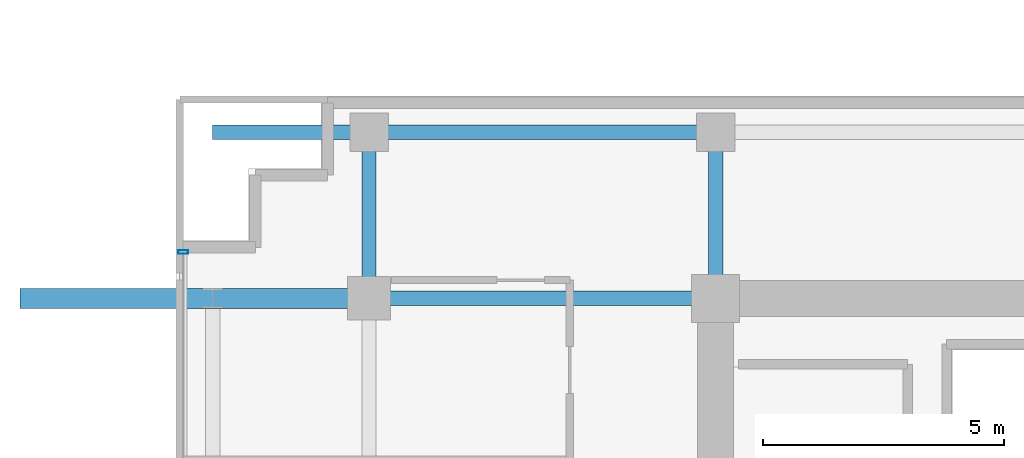
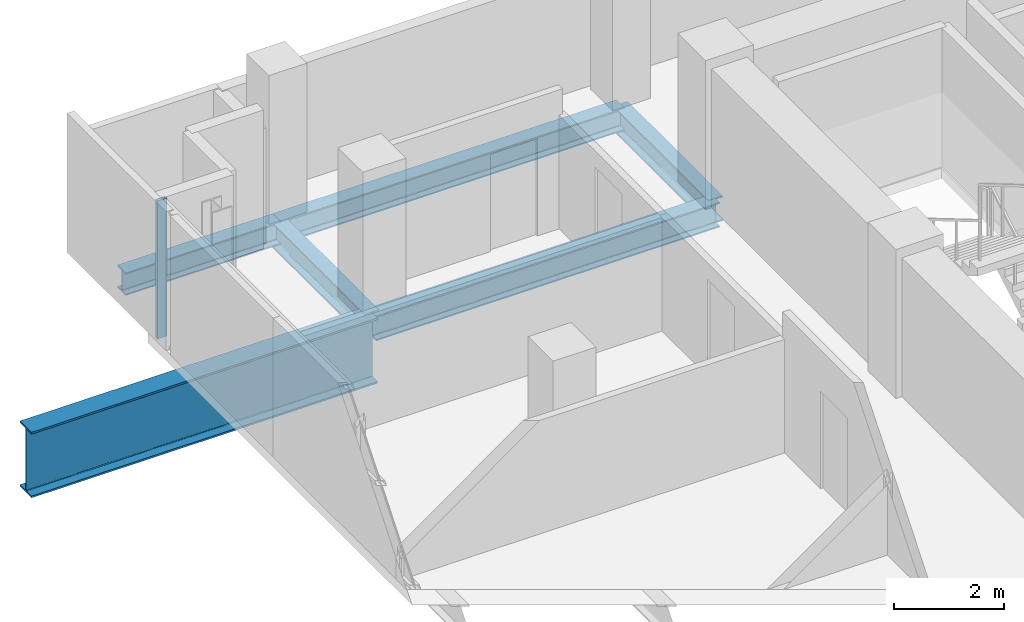
# One storey, part 12 of 27: 6 beams, 1 member, 1 element without a shape of its own.
"""IFC4 building model written with IfcOpenShell, lengths in metres."""

from ifc_helpers import new_model, si_unit, direction, frame, origin, origin_2d, place, context, subcontext, project, spatial, hollow_rectangle, i_section, extrude, source, transform, mapped, material, layer, layer_set, material_profile, profile_set, type_object, element, aggregate, save


model = new_model("IFC4")

# Units and contexts
model_context = context("Model", 3, precision=1e-05, world=origin(), true_north=direction((0.0, 1.0)))
body_context = subcontext(model_context, "Body", "Model", "MODEL_VIEW")
ifc_project = project(units=[si_unit("LENGTHUNIT", "METRE"), si_unit("AREAUNIT", "SQUARE_METRE"), si_unit("VOLUMEUNIT", "CUBIC_METRE"), si_unit("PLANEANGLEUNIT", "RADIAN"), si_unit("MASSUNIT", "GRAM", prefix="KILO")], contexts=[model_context])

# Site, building, storey
site_placement = place(None, origin())
site = spatial("IfcSite", under=ifc_project, at=site_placement, CompositionType="ELEMENT")
building_placement = place(site_placement, origin())
building = spatial("IfcBuilding", under=site, at=building_placement, Name="Zarnakvel Exchange Tower", CompositionType="ELEMENT")
storey_placement = place(building_placement, frame((0.0, 0.0, 113.199951171875)))
storey = spatial("IfcBuildingStorey", under=building, at=storey_placement, Name="L31", CompositionType="ELEMENT", Elevation=113.199951171875)

# Beams
ifc_material_1 = material(Name="Steel S355", Category="steel")
ifc_material_profile_1 = material_profile(ifc_material_1, i_section(OverallWidth=0.300048828125, OverallDepth=0.550048828125, WebThickness=0.014892578125, FlangeThickness=0.029052734375, FilletRadius=0.027099609375, at=origin_2d()))
ifc_profile_set_1 = profile_set([ifc_material_profile_1], Name="Steel S355")
beam_type_1 = type_object("IfcBeamType", Name="G-05", PredefinedType="BEAM", material=ifc_profile_set_1)
beam_1_placement = place(storey_placement, frame((-21.60009765625, 13.5, -0.5), z_axis=(1.0, 0.0, 0.0), x_axis=(0.0, 1.0, 0.0)))
element("IfcBeam", 1, at=beam_1_placement, inside=storey, type_object=beam_type_1, Name="L31 Tower E-W Frame Beam", PredefinedType="BEAM", context=body_context, shape_type="SweptSolid", body=[
    extrude(i_section(OverallWidth=0.300048828125, OverallDepth=0.550048828125, WebThickness=0.014892578125, FlangeThickness=0.029052734375, FilletRadius=0.027099609375, at=origin_2d()), origin(), (0.0, 0.0, 1.0), 7.2001953125),
])
for number, where, z_axis, x_axis, name in (
    (2, (-21.60009765625, 13.5, -0.5), (0.0, 1.0, 0.0), (-1.0, 0.0, 0.0), "L31 Tower N-S Frame Beam"),
    (3, (-14.39990234375, 13.5, -0.5), (0.0, 1.0, 0.0), (-1.0, 0.0, 0.0), "L31 Tower N-S Frame Beam"),
):
    element("IfcBeam", number, at=place(storey_placement, frame(where, z_axis=z_axis, x_axis=x_axis)), inside=storey, type_object=beam_type_1, Name=name, PredefinedType="BEAM", context=body_context, shape_type="SweptSolid", body=[
        extrude(i_section(OverallWidth=0.300048828125, OverallDepth=0.550048828125, WebThickness=0.014892578125, FlangeThickness=0.029052734375, FilletRadius=0.027099609375, at=origin_2d()), origin(), (0.0, 0.0, 1.0), 3.449951171875),
    ])
ifc_material_profile_2 = material_profile(ifc_material_1, i_section(OverallWidth=0.300048828125, OverallDepth=0.5, WebThickness=0.014404296875, FlangeThickness=0.028076171875, FilletRadius=0.027099609375, at=origin_2d()))
ifc_profile_set_2 = profile_set([ifc_material_profile_2], Name="Steel S355")
beam_type_2 = type_object("IfcBeamType", Name="SP-02", PredefinedType="SPANDREL", material=ifc_profile_set_2)
beam_2_placement = place(storey_placement, frame((-21.60009765625, 16.949951171875, -0.474853515625), z_axis=(1.0, 0.0, 0.0), x_axis=(0.0, 1.0, 0.0)))
element("IfcBeam", 4, at=beam_2_placement, inside=storey, type_object=beam_type_2, Name="L31 Tower E-W Frame Beam", PredefinedType="SPANDREL", context=body_context, shape_type="SweptSolid", body=[
    extrude(i_section(OverallWidth=0.300048828125, OverallDepth=0.5, WebThickness=0.014404296875, FlangeThickness=0.028076171875, FilletRadius=0.027099609375, at=origin_2d()), origin(), (0.0, 0.0, 1.0), 7.2001953125),
])
beam_3_placement = place(storey_placement, frame((-24.85009765625, 16.949951171875, -0.474853515625), z_axis=(1.0, 0.0, 0.0), x_axis=(0.0, 1.0, 0.0)))
element("IfcBeam", 5, at=beam_3_placement, inside=storey, type_object=beam_type_2, Name="L31 North-West Corner Spandrel", PredefinedType="SPANDREL", context=body_context, shape_type="SweptSolid", body=[
    extrude(i_section(OverallWidth=0.300048828125, OverallDepth=0.5, WebThickness=0.014404296875, FlangeThickness=0.028076171875, FilletRadius=0.027099609375, at=origin_2d()), origin(), (0.0, 0.0, 1.0), 3.25),
])
ifc_material_2 = material(Name="Steel S460", Category="steel")
ifc_material_profile_3 = material_profile(ifc_material_2, i_section(OverallWidth=0.419921875, OverallDepth=1.449951171875, WebThickness=0.02392578125, FlangeThickness=0.0400390625, FilletRadius=0.030029296875, at=origin_2d()))
ifc_profile_set_3 = profile_set([ifc_material_profile_3], Name="Steel S460")
beam_type_3 = type_object("IfcBeamType", Name="TG-01", PredefinedType="BEAM", material=ifc_profile_set_3)
beam_4_placement = place(storey_placement, frame((-28.85009765625, 13.5, -0.949951171875), z_axis=(1.0, 0.0, 0.0), x_axis=(0.0, 1.0, 0.0)))
element("IfcBeam", 6, at=beam_4_placement, inside=storey, type_object=beam_type_3, Name="L31 Setback E-W Transfer Girder TW-F", PredefinedType="BEAM", context=body_context, shape_type="SweptSolid", body=[
    extrude(i_section(OverallWidth=0.419921875, OverallDepth=1.449951171875, WebThickness=0.02392578125, FlangeThickness=0.0400390625, FilletRadius=0.030029296875, at=origin_2d()), origin(), (0.0, 0.0, 1.0), 7.25),
])

# Curtain wall, member
ifc_material_3 = material(Name="Architectural Bronze Anodised Aluminium", Category="aluminium")
ifc_layer = layer(ifc_material_3, 0.199951171875)
ifc_layer_set = layer_set([ifc_layer], Name="Architectural Bronze Anodised Aluminium")
curtain_wall_type = type_object("IfcCurtainWallType", Name="CW-04", PredefinedType="NOTDEFINED", material=ifc_layer_set)
curtain_wall_placement = place(storey_placement, origin())
curtain_wall = element("IfcCurtainWall", 7, at=curtain_wall_placement, inside=storey, type_object=curtain_wall_type, Name="L31 Curtain Wall CW-L31-W1 (CW-04)", PredefinedType="NOTDEFINED")
ifc_material_profile_4 = material_profile(ifc_material_3, hollow_rectangle(XDim=0.199951171875, YDim=0.074951171875, WallThickness=0.0048828125, at=origin_2d()))
ifc_profile_set_4 = profile_set([ifc_material_profile_4], Name="Architectural Bronze Anodised Aluminium")
member_type = type_object("IfcMemberType", Name="CWM-04", PredefinedType="MULLION", material=ifc_profile_set_4)
shared_shape = source(origin(), body_context, "Body", "SweptSolid", [
    extrude(hollow_rectangle(XDim=0.199951171875, YDim=0.074951171875, WallThickness=0.0048828125, at=origin_2d()), origin(), (0.0, 0.0, 1.0), 3.054931640625),
])
member_placement = place(storey_placement, frame((-25.4599609375, 14.46240234375, 0.0), z_axis=(0.0, 0.0, 1.0), x_axis=(-1.0, 0.0, 0.0)))
member = element("IfcMember", 8, at=member_placement, type_object=member_type, Name="CW-04 mullion 5", PredefinedType="MULLION", context=body_context, shape_type="MappedRepresentation", body=[
    mapped(shared_shape, transform((0.0, 0.0, 0.0), x_axis=(1.0, 0.0, 0.0), y_axis=(0.0, 1.0, 0.0), z_axis=(0.0, 0.0, 1.0), scale=1.0)),
])
aggregate(curtain_wall, [member])

save(model, "model.ifc")
